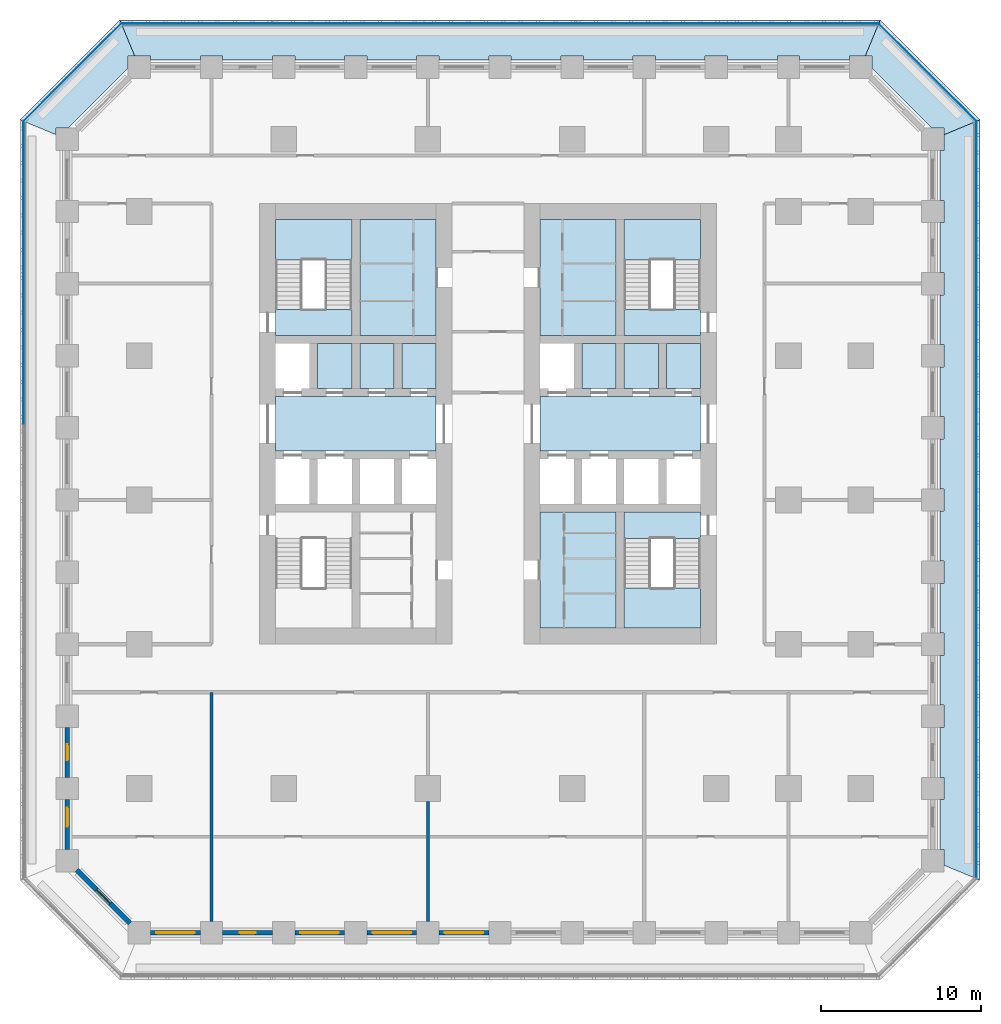
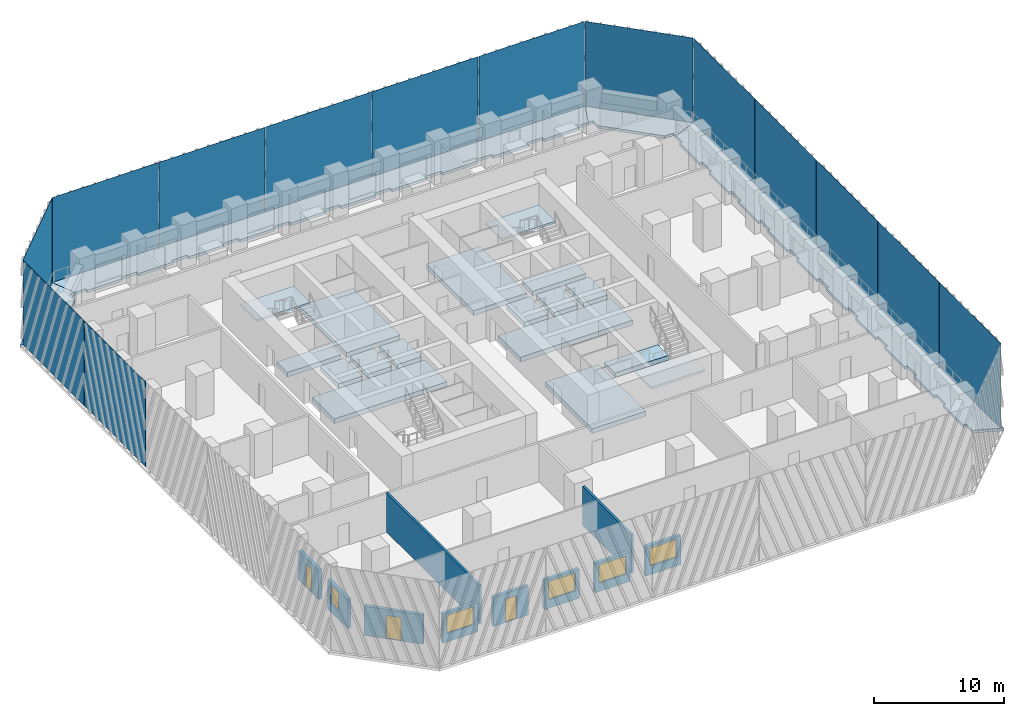
# One storey, part 2 of 14: 21 slabs, 14 plates, 10 walls, 5 windows, 3 doors, 8 openings, 3 elements without a shape of their own.
"""IFC4 building model written with IfcOpenShell, lengths in metres."""

from ifc_helpers import new_model, si_unit, direction, frame, frame_2d, origin, origin_2d, place, context, subcontext, project, spatial, polyline, rectangle, outline, extrude, material, layer, layer_set, type_object, element, fill, aggregate, save


model = new_model("IFC4")

# Units and contexts
model_context = context("Model", 3, precision=1e-05, world=origin(), true_north=direction((0.0, 1.0)))
body_context = subcontext(model_context, "Body", "Model", "MODEL_VIEW")
ifc_project = project(units=[si_unit("LENGTHUNIT", "METRE"), si_unit("AREAUNIT", "SQUARE_METRE"), si_unit("VOLUMEUNIT", "CUBIC_METRE"), si_unit("PLANEANGLEUNIT", "RADIAN"), si_unit("MASSUNIT", "GRAM", prefix="KILO")], contexts=[model_context])

# Site, building, storey
site_placement = place(None, origin())
site = spatial("IfcSite", under=ifc_project, at=site_placement, CompositionType="ELEMENT")
building_placement = place(site_placement, origin())
building = spatial("IfcBuilding", under=site, at=building_placement, Name="Corbel Stack Research Tower", CompositionType="ELEMENT")
storey_placement = place(building_placement, frame((0.0, 0.0, 50.10009765625)))
storey = spatial("IfcBuildingStorey", under=building, at=storey_placement, Name="L11", CompositionType="ELEMENT", Elevation=50.10009765625)

# Plates
ifc_material_1 = material(Name="Fritted glass", Category="glass")
ifc_layer_1 = layer(ifc_material_1, 0.02490234375)
ifc_layer_set_1 = layer_set([ifc_layer_1], Name="Fritted glass")
plate_type = type_object("IfcPlateType", Name="Fritted glass panel 25", PredefinedType="SHEET", material=ifc_layer_set_1)
for number, where, z_axis, x_axis, name in (
    (1, (34.237548828125, -18.911376953125, 0.0), (0.0, 0.0, 1.0), (0.0, 1.0, 0.0), "Fritted glass L11 E1"),
    (2, (34.237548828125, -9.45556640625, 0.0), (0.0, 0.0, 1.0), (0.0, 1.0, 0.0), "Fritted glass L11 E2"),
    (3, (34.237548828125, 0.0, 0.0), (0.0, 0.0, 1.0), (0.0, 1.0, 0.0), "Fritted glass L11 E3"),
    (4, (34.237548828125, 9.45556640625, 0.0), (0.0, 0.0, 1.0), (0.0, 1.0, 0.0), "Fritted glass L11 E4"),
    (5, (34.237548828125, 18.911376953125, 0.0), (0.0, 0.0, 1.0), (0.0, 1.0, 0.0), "Fritted glass L11 E5"),
):
    element("IfcPlate", number, at=place(storey_placement, frame(where, z_axis=z_axis, x_axis=x_axis)), inside=storey, type_object=plate_type, Name=name, PredefinedType="SHEET", context=body_context, shape_type="SweptSolid", body=[
        extrude(rectangle(XDim=9.3955078125, YDim=0.02490234375, at=origin_2d()), origin(), (0.0, 0.0, 1.0), 7.949951171875),
    ])
plate_1_placement = place(storey_placement, frame((31.185791015625, 26.685791015625, 0.0), z_axis=(0.0, 0.0, 1.0), x_axis=(-0.707106781187, 0.707106781187, 0.0)))
element("IfcPlate", 6, at=plate_1_placement, inside=storey, type_object=plate_type, Name="Fritted glass L11 NE1", PredefinedType="SHEET", context=body_context, shape_type="SweptSolid", body=[
    extrude(rectangle(XDim=8.58203125, YDim=0.02490234375, at=origin_2d()), origin(), (0.0, 0.0, 1.0), 7.949951171875),
])
for number, where, z_axis, x_axis, name in (
    (7, (23.411376953125, 29.737548828125, 0.0), (0.0, 0.0, 1.0), (-1.0, 0.0, 0.0), "Fritted glass L11 N1"),
    (8, (13.95556640625, 29.737548828125, 0.0), (0.0, 0.0, 1.0), (-1.0, 0.0, 0.0), "Fritted glass L11 N2"),
    (9, (4.5, 29.737548828125, 0.0), (0.0, 0.0, 1.0), (-1.0, 0.0, 0.0), "Fritted glass L11 N3"),
    (10, (-4.95556640625, 29.737548828125, 0.0), (0.0, 0.0, 1.0), (-1.0, 0.0, 0.0), "Fritted glass L11 N4"),
    (11, (-14.411376953125, 29.737548828125, 0.0), (0.0, 0.0, 1.0), (-1.0, 0.0, 0.0), "Fritted glass L11 N5"),
):
    element("IfcPlate", number, at=place(storey_placement, frame(where, z_axis=z_axis, x_axis=x_axis)), inside=storey, type_object=plate_type, Name=name, PredefinedType="SHEET", context=body_context, shape_type="SweptSolid", body=[
        extrude(rectangle(XDim=9.3955078125, YDim=0.02490234375, at=origin_2d()), origin(), (0.0, 0.0, 1.0), 7.949951171875),
    ])
plate_2_placement = place(storey_placement, frame((-22.185791015625, 26.685791015625, 0.0), z_axis=(0.0, 0.0, 1.0), x_axis=(-0.707106781187, -0.707106781187, 0.0)))
element("IfcPlate", 12, at=plate_2_placement, inside=storey, type_object=plate_type, Name="Fritted glass L11 NW1", PredefinedType="SHEET", context=body_context, shape_type="SweptSolid", body=[
    extrude(rectangle(XDim=8.58203125, YDim=0.02490234375, at=origin_2d()), origin(), (0.0, 0.0, 1.0), 7.949951171875),
])
for number, where, z_axis, x_axis, name in (
    (13, (-25.237548828125, 18.911376953125, 0.0), (0.0, 0.0, 1.0), (0.0, -1.0, 0.0), "Fritted glass L11 W1"),
    (14, (-25.237548828125, 9.45556640625, 0.0), (0.0, 0.0, 1.0), (0.0, -1.0, 0.0), "Fritted glass L11 W2"),
):
    element("IfcPlate", number, at=place(storey_placement, frame(where, z_axis=z_axis, x_axis=x_axis)), inside=storey, type_object=plate_type, Name=name, PredefinedType="SHEET", context=body_context, shape_type="SweptSolid", body=[
        extrude(rectangle(XDim=9.3955078125, YDim=0.02490234375, at=origin_2d()), origin(), (0.0, 0.0, 1.0), 7.949951171875),
    ])

# Slabs
ifc_material_2 = material(Name="Concrete C45/55", Category="concrete")
ifc_layer_2 = layer(ifc_material_2, 0.25)
ifc_layer_set_2 = layer_set([ifc_layer_2], Name="Concrete C45/55")
slab_type_1 = type_object("IfcSlabType", Name="PT balcony slab 250 C45/55", PredefinedType="FLOOR", material=ifc_layer_set_2)
slab_1_placement = place(storey_placement, frame((0.0, 0.0, -0.25)))
element("IfcSlab", 15, at=slab_1_placement, inside=storey, type_object=slab_type_1, Name="Loggia slab L11 E", PredefinedType="FLOOR", context=body_context, shape_type="SweptSolid", body=[
    extrude(outline(polyline([(32.199951171875, 22.789794921875), (32.199951171875, 21.800048828125), (31.949951171875, 21.800048828125), (31.949951171875, 18.699951171875), (32.199951171875, 18.699951171875), (32.199951171875, 17.300048828125), (31.949951171875, 17.300048828125), (31.949951171875, 14.199951171875), (32.199951171875, 14.199951171875), (32.199951171875, 12.800048828125), (31.949951171875, 12.800048828125), (31.949951171875, 9.699951171875), (32.199951171875, 9.699951171875), (32.199951171875, 8.300048828125), (31.949951171875, 8.300048828125), (31.949951171875, 5.199951171875), (32.199951171875, 5.199951171875), (32.199951171875, 3.800048828125), (31.949951171875, 3.800048828125), (31.949951171875, 0.699951171875), (32.199951171875, 0.699951171875), (32.199951171875, -0.699951171875), (31.949951171875, -0.699951171875), (31.949951171875, -3.800048828125), (32.199951171875, -3.800048828125), (32.199951171875, -5.199951171875), (31.949951171875, -5.199951171875), (31.949951171875, -8.300048828125), (32.199951171875, -8.300048828125), (32.199951171875, -9.699951171875), (31.949951171875, -9.699951171875), (31.949951171875, -12.800048828125), (32.199951171875, -12.800048828125), (32.199951171875, -14.199951171875), (31.949951171875, -14.199951171875), (31.949951171875, -17.300048828125), (32.199951171875, -17.300048828125), (32.199951171875, -18.699951171875), (31.949951171875, -18.699951171875), (31.949951171875, -21.800048828125), (32.199951171875, -21.800048828125), (32.199951171875, -22.789794921875), (34.449951171875, -23.721923828125), (34.449951171875, 23.721923828125), (32.199951171875, 22.789794921875)])), origin(), (0.0, 0.0, 1.0), 0.25),
])
slab_2_placement = place(storey_placement, frame((0.0, 0.0, -0.25)))
element("IfcSlab", 16, at=slab_2_placement, inside=storey, type_object=slab_type_1, Name="Loggia slab L11 NE", PredefinedType="FLOOR", context=body_context, shape_type="SweptSolid", body=[
    extrude(outline(polyline([(27.289794921875, 27.699951171875), (27.699951171875, 27.699951171875), (27.699951171875, 26.936279296875), (31.436279296875, 23.199951171875), (32.199951171875, 23.199951171875), (32.199951171875, 22.789794921875), (34.449951171875, 23.721923828125), (28.221923828125, 29.949951171875), (27.289794921875, 27.699951171875)])), origin(), (0.0, 0.0, 1.0), 0.25),
])
slab_3_placement = place(storey_placement, frame((0.0, 0.0, -0.25)))
element("IfcSlab", 17, at=slab_3_placement, inside=storey, type_object=slab_type_1, Name="Loggia slab L11 N", PredefinedType="FLOOR", context=body_context, shape_type="SweptSolid", body=[
    extrude(outline(polyline([(-18.289794921875, 27.699951171875), (-17.300048828125, 27.699951171875), (-17.300048828125, 27.449951171875), (-14.199951171875, 27.449951171875), (-14.199951171875, 27.699951171875), (-12.800048828125, 27.699951171875), (-12.800048828125, 27.449951171875), (-9.699951171875, 27.449951171875), (-9.699951171875, 27.699951171875), (-8.300048828125, 27.699951171875), (-8.300048828125, 27.449951171875), (-5.199951171875, 27.449951171875), (-5.199951171875, 27.699951171875), (-3.800048828125, 27.699951171875), (-3.800048828125, 27.449951171875), (-0.699951171875, 27.449951171875), (-0.699951171875, 27.699951171875), (0.699951171875, 27.699951171875), (0.699951171875, 27.449951171875), (3.800048828125, 27.449951171875), (3.800048828125, 27.699951171875), (5.199951171875, 27.699951171875), (5.199951171875, 27.449951171875), (8.300048828125, 27.449951171875), (8.300048828125, 27.699951171875), (9.699951171875, 27.699951171875), (9.699951171875, 27.449951171875), (12.800048828125, 27.449951171875), (12.800048828125, 27.699951171875), (14.199951171875, 27.699951171875), (14.199951171875, 27.449951171875), (17.300048828125, 27.449951171875), (17.300048828125, 27.699951171875), (18.699951171875, 27.699951171875), (18.699951171875, 27.449951171875), (21.800048828125, 27.449951171875), (21.800048828125, 27.699951171875), (23.199951171875, 27.699951171875), (23.199951171875, 27.449951171875), (26.300048828125, 27.449951171875), (26.300048828125, 27.699951171875), (27.289794921875, 27.699951171875), (28.221923828125, 29.949951171875), (-19.221923828125, 29.949951171875), (-18.289794921875, 27.699951171875)])), origin(), (0.0, 0.0, 1.0), 0.25),
])
slab_4_placement = place(storey_placement, frame((0.0, 0.0, -0.25)))
element("IfcSlab", 18, at=slab_4_placement, inside=storey, type_object=slab_type_1, Name="Loggia slab L11 NW", PredefinedType="FLOOR", context=body_context, shape_type="SweptSolid", body=[
    extrude(outline(polyline([(-23.199951171875, 22.789794921875), (-23.199951171875, 23.199951171875), (-22.436279296875, 23.199951171875), (-18.699951171875, 26.936279296875), (-18.699951171875, 27.699951171875), (-18.289794921875, 27.699951171875), (-19.221923828125, 29.949951171875), (-25.449951171875, 23.721923828125), (-23.199951171875, 22.789794921875)])), origin(), (0.0, 0.0, 1.0), 0.25),
])
ifc_material_3 = material(Name="Concrete C45/55", Category="concrete")
ifc_layer_3 = layer(ifc_material_3, 0.449951171875)
ifc_layer_set_3 = layer_set([ifc_layer_3], Name="Concrete C45/55")
slab_type_2 = type_object("IfcSlabType", Name="PT-450", PredefinedType="FLOOR", material=ifc_layer_set_3)
slab_5_placement = place(storey_placement, frame((0.0, 0.0, -0.4501953125)))
element("IfcSlab", 19, at=slab_5_placement, inside=storey, type_object=slab_type_2, Name="West core floor L11", PredefinedType="FLOOR", context=body_context, shape_type="SweptSolid", body=[
    extrude(outline(polyline([(-9.5, 6.449951171875), (-9.5, 3.050048828125), (0.5, 3.050048828125), (0.5, 6.449951171875), (-9.5, 6.449951171875)])), origin(), (0.0, 0.0, 1.0), 0.4501953125),
])
slab_6_placement = place(storey_placement, frame((0.0, 0.0, -0.4501953125)))
element("IfcSlab", 20, at=slab_6_placement, inside=storey, type_object=slab_type_2, Name="West core floor L11", PredefinedType="FLOOR", context=body_context, shape_type="SweptSolid", body=[
    extrude(outline(polyline([(-6.875, 6.949951171875), (-4.75, 6.949951171875), (-4.75, 9.75), (-6.875, 9.75), (-6.875, 6.949951171875)])), origin(), (0.0, 0.0, 1.0), 0.4501953125),
])
slab_7_placement = place(storey_placement, frame((0.0, 0.0, -0.4501953125)))
element("IfcSlab", 21, at=slab_7_placement, inside=storey, type_object=slab_type_2, Name="West core floor L11", PredefinedType="FLOOR", context=body_context, shape_type="SweptSolid", body=[
    extrude(outline(polyline([(-2.125, 6.949951171875), (-2.125, 9.75), (-4.25, 9.75), (-4.25, 6.949951171875), (-2.125, 6.949951171875)])), origin(), (0.0, 0.0, 1.0), 0.4501953125),
])
slab_8_placement = place(storey_placement, frame((0.0, 0.0, -0.4501953125)))
element("IfcSlab", 22, at=slab_8_placement, inside=storey, type_object=slab_type_2, Name="West core floor L11", PredefinedType="FLOOR", context=body_context, shape_type="SweptSolid", body=[
    extrude(outline(polyline([(-4.25, 17.5), (-4.25, 10.25), (0.5, 10.25), (0.5, 17.5), (-4.25, 17.5)])), origin(), (0.0, 0.0, 1.0), 0.4501953125),
])
slab_9_placement = place(storey_placement, frame((0.0, 0.0, -0.4501953125)))
element("IfcSlab", 23, at=slab_9_placement, inside=storey, type_object=slab_type_2, Name="West core floor L11", PredefinedType="FLOOR", context=body_context, shape_type="SweptSolid", body=[
    extrude(outline(polyline([(0.5, 6.949951171875), (0.5, 9.75), (-1.625, 9.75), (-1.625, 6.949951171875), (0.5, 6.949951171875)])), origin(), (0.0, 0.0, 1.0), 0.4501953125),
])
slab_10_placement = place(storey_placement, frame((0.0, 0.0, -0.4501953125)))
element("IfcSlab", 24, at=slab_10_placement, inside=storey, type_object=slab_type_2, Name="East core floor L11", PredefinedType="FLOOR", context=body_context, shape_type="SweptSolid", body=[
    extrude(outline(polyline([(7.0, -0.75), (7.0, -8.0), (11.75, -8.0), (11.75, -0.75), (7.0, -0.75)])), origin(), (0.0, 0.0, 1.0), 0.4501953125),
])
slab_11_placement = place(storey_placement, frame((0.0, 0.0, -0.4501953125)))
element("IfcSlab", 25, at=slab_11_placement, inside=storey, type_object=slab_type_2, Name="East core floor L11", PredefinedType="FLOOR", context=body_context, shape_type="SweptSolid", body=[
    extrude(outline(polyline([(7.0, 6.449951171875), (7.0, 3.050048828125), (17.0, 3.050048828125), (17.0, 6.449951171875), (7.0, 6.449951171875)])), origin(), (0.0, 0.0, 1.0), 0.4501953125),
])
slab_12_placement = place(storey_placement, frame((0.0, 0.0, -0.4501953125)))
element("IfcSlab", 26, at=slab_12_placement, inside=storey, type_object=slab_type_2, Name="East core floor L11", PredefinedType="FLOOR", context=body_context, shape_type="SweptSolid", body=[
    extrude(outline(polyline([(7.0, 17.5), (7.0, 10.25), (11.75, 10.25), (11.75, 17.5), (7.0, 17.5)])), origin(), (0.0, 0.0, 1.0), 0.4501953125),
])
slab_13_placement = place(storey_placement, frame((0.0, 0.0, -0.4501953125)))
element("IfcSlab", 27, at=slab_13_placement, inside=storey, type_object=slab_type_2, Name="East core floor L11", PredefinedType="FLOOR", context=body_context, shape_type="SweptSolid", body=[
    extrude(outline(polyline([(9.625, 6.949951171875), (11.75, 6.949951171875), (11.75, 9.75), (9.625, 9.75), (9.625, 6.949951171875)])), origin(), (0.0, 0.0, 1.0), 0.4501953125),
])
slab_14_placement = place(storey_placement, frame((0.0, 0.0, -0.4501953125)))
element("IfcSlab", 28, at=slab_14_placement, inside=storey, type_object=slab_type_2, Name="East core floor L11", PredefinedType="FLOOR", context=body_context, shape_type="SweptSolid", body=[
    extrude(outline(polyline([(14.375, 6.949951171875), (14.375, 9.75), (12.25, 9.75), (12.25, 6.949951171875), (14.375, 6.949951171875)])), origin(), (0.0, 0.0, 1.0), 0.4501953125),
])
slab_15_placement = place(storey_placement, frame((0.0, 0.0, -0.4501953125)))
element("IfcSlab", 29, at=slab_15_placement, inside=storey, type_object=slab_type_2, Name="East core floor L11", PredefinedType="FLOOR", context=body_context, shape_type="SweptSolid", body=[
    extrude(outline(polyline([(17.0, 6.949951171875), (17.0, 9.75), (14.875, 9.75), (14.875, 6.949951171875), (17.0, 6.949951171875)])), origin(), (0.0, 0.0, 1.0), 0.4501953125),
])
slab_16_placement = place(storey_placement, frame((0.0, 0.0, -0.4501953125)))
element("IfcSlab", 30, at=slab_16_placement, inside=storey, type_object=slab_type_2, Name="Stair floor landing ST-W2", PredefinedType="FLOOR", context=body_context, shape_type="SweptSolid", body=[
    extrude(outline(polyline([(-9.5, 10.25), (-4.75, 10.25), (-4.75, 11.89990234375), (-9.5, 11.89990234375), (-9.5, 10.25)])), origin(), (0.0, 0.0, 1.0), 0.4501953125),
])
slab_17_placement = place(storey_placement, frame((0.0, 0.0, -0.4501953125)))
element("IfcSlab", 31, at=slab_17_placement, inside=storey, type_object=slab_type_2, Name="Stair floor landing ST-E1", PredefinedType="FLOOR", context=body_context, shape_type="SweptSolid", body=[
    extrude(outline(polyline([(12.25, -2.39990234375), (17.0, -2.39990234375), (17.0, -0.75), (12.25, -0.75), (12.25, -2.39990234375)])), origin(), (0.0, 0.0, 1.0), 0.4501953125),
])
slab_18_placement = place(storey_placement, frame((0.0, 0.0, -0.4501953125)))
element("IfcSlab", 32, at=slab_18_placement, inside=storey, type_object=slab_type_2, Name="Stair floor landing ST-E2", PredefinedType="FLOOR", context=body_context, shape_type="SweptSolid", body=[
    extrude(outline(polyline([(12.25, 10.25), (17.0, 10.25), (17.0, 11.89990234375), (12.25, 11.89990234375), (12.25, 10.25)])), origin(), (0.0, 0.0, 1.0), 0.4501953125),
])

# Stair, slab
ifc_material_4 = material(Name="Concrete C40/50", Category="concrete")
stair_type = type_object("IfcStairType", Name="Exit stair 24 risers", PredefinedType="HALF_TURN_STAIR", material=ifc_material_4)
stair_1_placement = place(storey_placement, origin())
stair_1 = element("IfcStair", 33, at=stair_1_placement, inside=storey, type_object=stair_type, Name="L11 Exit stair ST-W2", PredefinedType="HALF_TURN_STAIR")
ifc_material_5 = material(Name="Concrete C40/50", Category="concrete")
ifc_layer_4 = layer(ifc_material_5, 0.199951171875)
ifc_layer_set_4 = layer_set([ifc_layer_4], Name="Concrete C40/50")
slab_type_3 = type_object("IfcSlabType", Name="Stair landing 200 C40/50", PredefinedType="LANDING", material=ifc_layer_set_4)
slab_19_placement = place(storey_placement, frame((0.0, 0.0, 1.849853515625)))
slab_19 = element("IfcSlab", 34, at=slab_19_placement, type_object=slab_type_3, Name="ST-W2 landing 1", PredefinedType="LANDING", context=body_context, shape_type="SweptSolid", body=[
    extrude(outline(polyline([(-9.5, 14.97998046875), (-9.5, 17.5), (-4.75, 17.5), (-4.75, 14.97998046875), (-9.5, 14.97998046875)])), origin(), (0.0, 0.0, 1.0), 0.199951171875),
])
aggregate(stair_1, [slab_19])

stair_2_placement = place(storey_placement, origin())
stair_2 = element("IfcStair", 35, at=stair_2_placement, inside=storey, type_object=stair_type, Name="L11 Exit stair ST-E1", PredefinedType="HALF_TURN_STAIR")
slab_20_placement = place(storey_placement, frame((0.0, 0.0, 1.849853515625)))
slab_20 = element("IfcSlab", 36, at=slab_20_placement, type_object=slab_type_3, Name="ST-E1 landing 1", PredefinedType="LANDING", context=body_context, shape_type="SweptSolid", body=[
    extrude(outline(polyline([(12.25, -8.0), (12.25, -5.47998046875), (17.0, -5.47998046875), (17.0, -8.0), (12.25, -8.0)])), origin(), (0.0, 0.0, 1.0), 0.199951171875),
])
aggregate(stair_2, [slab_20])

stair_3_placement = place(storey_placement, origin())
stair_3 = element("IfcStair", 37, at=stair_3_placement, inside=storey, type_object=stair_type, Name="L11 Exit stair ST-E2", PredefinedType="HALF_TURN_STAIR")
slab_21_placement = place(storey_placement, frame((0.0, 0.0, 1.849853515625)))
slab_21 = element("IfcSlab", 38, at=slab_21_placement, type_object=slab_type_3, Name="ST-E2 landing 1", PredefinedType="LANDING", context=body_context, shape_type="SweptSolid", body=[
    extrude(outline(polyline([(12.25, 14.97998046875), (12.25, 17.5), (17.0, 17.5), (17.0, 14.97998046875), (12.25, 14.97998046875)])), origin(), (0.0, 0.0, 1.0), 0.199951171875),
])
aggregate(stair_3, [slab_21])

# Walls
ifc_material_6 = material(Name="Fire-rated gypsum board partition on steel studs", Category="steel")
ifc_layer_5 = layer(ifc_material_6, 0.199951171875)
ifc_layer_set_5 = layer_set([ifc_layer_5], Name="Fire-rated gypsum board partition on steel studs")
wall_type_1 = type_object("IfcWallType", Name="Fire-rated partition 200 EI 60", PredefinedType="PARTITIONING", material=ifc_layer_set_5)
wall_1_placement = place(storey_placement, frame((-13.5, -26.300048828125, 0.0), z_axis=(0.0, 0.0, 1.0), x_axis=(0.0, 1.0, 0.0)))
element("IfcWall", 39, at=wall_1_placement, inside=storey, type_object=wall_type_1, Name="Partition L11-001", PredefinedType="PARTITIONING", context=body_context, shape_type="SweptSolid", body=[
    extrude(rectangle(XDim=14.300048828125, YDim=0.199951171875, at=frame_2d((7.14990234375, 0.0))), origin(), (0.0, 0.0, 1.0), 3.64990234375),
])
wall_2_placement = place(storey_placement, frame((0.0, -26.300048828125, 0.0), z_axis=(0.0, 0.0, 1.0), x_axis=(0.0, 1.0, 0.0)))
element("IfcWall", 40, at=wall_2_placement, inside=storey, type_object=wall_type_1, Name="Partition L11-004", PredefinedType="PARTITIONING", context=body_context, shape_type="SweptSolid", body=[
    extrude(rectangle(XDim=7.5, YDim=0.199951171875, at=frame_2d((3.75, 0.0))), origin(), (0.0, 0.0, 1.0), 3.64990234375),
])

# Wall, opening, window
ifc_material_7 = material(Name="Concrete C45/55", Category="concrete")
ifc_layer_6 = layer(ifc_material_7, 0.300048828125)
ifc_layer_set_6 = layer_set([ifc_layer_6], Name="Concrete C45/55")
wall_type_2 = type_object("IfcWallType", Name="Terracotta-faced concrete wall 300", PredefinedType="SOLIDWALL", material=ifc_layer_set_6)
wall_3_placement = place(storey_placement, frame((-14.199951171875, -27.0, 0.0), z_axis=(0.0, 0.0, 1.0), x_axis=(-1.0, 0.0, 0.0)))
wall_3 = element("IfcWall", 41, at=wall_3_placement, inside=storey, type_object=wall_type_2, Name="Facade wall L11 S01", PredefinedType="SOLIDWALL", context=body_context, shape_type="SweptSolid", body=[
    extrude(rectangle(XDim=3.10009765625, YDim=0.300048828125, at=frame_2d((1.550048828125, 0.0))), origin(), (0.0, 0.0, 1.0), 2.75),
])
opening_1_placement = place(wall_3_placement, frame((0.35009765625, 0.0, 0.800048828125)))
opening_1 = element("IfcOpeningElement", 42, at=opening_1_placement, cuts=wall_3, Name="Opening W1", PredefinedType="OPENING", context=body_context, shape_type="SweptSolid", body=[
    extrude(rectangle(XDim=2.39990234375, YDim=1.699951171875, at=frame_2d((1.199951171875, 0.85009765625))), frame((0.0, 0.159912109375, 0.0), z_axis=(0.0, -1.0, 0.0), x_axis=(1.0, 0.0, 0.0)), (0.0, 0.0, 1.0), 0.320068359375),
])
ifc_material_8 = material(Name="Aluminium frame, clear double glazing", Category="aluminium")
window_type_1 = type_object("IfcWindowType", Name="Window W1 2400 x 1700", PartitioningType="SINGLE_PANEL", PredefinedType="WINDOW", material=ifc_material_8)
window_1_placement = place(opening_1_placement, origin())
window_1 = element("IfcWindow", 43, at=window_1_placement, inside=storey, type_object=window_type_1, Name="Window W1 L11 S01", OverallHeight=1.699951171875, OverallWidth=2.39990234375, PartitioningType="SINGLE_PANEL", PredefinedType="WINDOW", context=body_context, shape_type="SweptSolid", body=[
    extrude(rectangle(XDim=2.39990234375, YDim=1.699951171875, at=frame_2d((1.199951171875, 0.85009765625))), frame((0.0, 0.030029296875, 0.0), z_axis=(0.0, -1.0, 0.0), x_axis=(1.0, 0.0, 0.0)), (0.0, 0.0, 1.0), 0.06005859375),
])
fill(opening_1, window_1)

# Wall, opening, door
wall_4_placement = place(storey_placement, frame((-9.699951171875, -27.0, 0.0), z_axis=(0.0, 0.0, 1.0), x_axis=(-1.0, 0.0, 0.0)))
wall_4 = element("IfcWall", 44, at=wall_4_placement, inside=storey, type_object=wall_type_2, Name="Facade wall L11 S02", PredefinedType="SOLIDWALL", context=body_context, shape_type="SweptSolid", body=[
    extrude(rectangle(XDim=3.10009765625, YDim=0.300048828125, at=frame_2d((1.550048828125, 0.0))), origin(), (0.0, 0.0, 1.0), 2.75),
])
opening_2_placement = place(wall_4_placement, frame((1.050048828125, 0.0, 0.0)))
opening_2 = element("IfcOpeningElement", 45, at=opening_2_placement, cuts=wall_4, Name="Opening L11-B01", PredefinedType="OPENING", context=body_context, shape_type="SweptSolid", body=[
    extrude(rectangle(XDim=1.0, YDim=2.199951171875, at=frame_2d((0.5, 1.10009765625))), frame((0.0, 0.159912109375, 0.0), z_axis=(0.0, -1.0, 0.0), x_axis=(1.0, 0.0, 0.0)), (0.0, 0.0, 1.0), 0.320068359375),
])
ifc_material_9 = material(Name="Aluminium frame, clear double glazing", Category="aluminium")
door_type_1 = type_object("IfcDoorType", Name="Balcony door BD1 1000 x 2200", OperationType="NOTDEFINED", PredefinedType="DOOR", material=ifc_material_9)
door_1_placement = place(opening_2_placement, origin())
door_1 = element("IfcDoor", 46, at=door_1_placement, inside=storey, type_object=door_type_1, Name="Balcony door L11-B01", OperationType="SINGLE_SWING_LEFT", OverallHeight=2.199951171875, OverallWidth=1.0, PredefinedType="DOOR", context=body_context, shape_type="SweptSolid", body=[
    extrude(rectangle(XDim=1.0, YDim=2.199951171875, at=frame_2d((0.5, 1.10009765625))), frame((0.0, 0.02490234375, 0.0), z_axis=(0.0, -1.0, 0.0), x_axis=(1.0, 0.0, 0.0)), (0.0, 0.0, 1.0), 0.050048828125),
])
fill(opening_2, door_1)

# Wall, opening, window
wall_5_placement = place(storey_placement, frame((-5.199951171875, -27.0, 0.0), z_axis=(0.0, 0.0, 1.0), x_axis=(-1.0, 0.0, 0.0)))
wall_5 = element("IfcWall", 47, at=wall_5_placement, inside=storey, type_object=wall_type_2, Name="Facade wall L11 S03", PredefinedType="SOLIDWALL", context=body_context, shape_type="SweptSolid", body=[
    extrude(rectangle(XDim=3.10009765625, YDim=0.300048828125, at=frame_2d((1.550048828125, 0.0))), origin(), (0.0, 0.0, 1.0), 2.75),
])
opening_3_placement = place(wall_5_placement, frame((0.35009765625, 0.0, 0.800048828125)))
opening_3 = element("IfcOpeningElement", 48, at=opening_3_placement, cuts=wall_5, Name="Opening W1", PredefinedType="OPENING", context=body_context, shape_type="SweptSolid", body=[
    extrude(rectangle(XDim=2.39990234375, YDim=1.699951171875, at=frame_2d((1.199951171875, 0.85009765625))), frame((0.0, 0.159912109375, 0.0), z_axis=(0.0, -1.0, 0.0), x_axis=(1.0, 0.0, 0.0)), (0.0, 0.0, 1.0), 0.320068359375),
])
window_2_placement = place(opening_3_placement, origin())
window_2 = element("IfcWindow", 49, at=window_2_placement, inside=storey, type_object=window_type_1, Name="Window W1 L11 S03", OverallHeight=1.699951171875, OverallWidth=2.39990234375, PartitioningType="SINGLE_PANEL", PredefinedType="WINDOW", context=body_context, shape_type="SweptSolid", body=[
    extrude(rectangle(XDim=2.39990234375, YDim=1.699951171875, at=frame_2d((1.199951171875, 0.85009765625))), frame((0.0, 0.030029296875, 0.0), z_axis=(0.0, -1.0, 0.0), x_axis=(1.0, 0.0, 0.0)), (0.0, 0.0, 1.0), 0.06005859375),
])
fill(opening_3, window_2)

wall_6_placement = place(storey_placement, frame((-0.699951171875, -27.0, 0.0), z_axis=(0.0, 0.0, 1.0), x_axis=(-1.0, 0.0, 0.0)))
wall_6 = element("IfcWall", 50, at=wall_6_placement, inside=storey, type_object=wall_type_2, Name="Facade wall L11 S04", PredefinedType="SOLIDWALL", context=body_context, shape_type="SweptSolid", body=[
    extrude(rectangle(XDim=3.10009765625, YDim=0.300048828125, at=frame_2d((1.550048828125, 0.0))), origin(), (0.0, 0.0, 1.0), 2.75),
])
opening_4_placement = place(wall_6_placement, frame((0.35009765625, 0.0, 0.800048828125)))
opening_4 = element("IfcOpeningElement", 51, at=opening_4_placement, cuts=wall_6, Name="Opening W1", PredefinedType="OPENING", context=body_context, shape_type="SweptSolid", body=[
    extrude(rectangle(XDim=2.39990234375, YDim=1.699951171875, at=frame_2d((1.199951171875, 0.85009765625))), frame((0.0, 0.159912109375, 0.0), z_axis=(0.0, -1.0, 0.0), x_axis=(1.0, 0.0, 0.0)), (0.0, 0.0, 1.0), 0.320068359375),
])
window_3_placement = place(opening_4_placement, origin())
window_3 = element("IfcWindow", 52, at=window_3_placement, inside=storey, type_object=window_type_1, Name="Window W1 L11 S04", OverallHeight=1.699951171875, OverallWidth=2.39990234375, PartitioningType="SINGLE_PANEL", PredefinedType="WINDOW", context=body_context, shape_type="SweptSolid", body=[
    extrude(rectangle(XDim=2.39990234375, YDim=1.699951171875, at=frame_2d((1.199951171875, 0.85009765625))), frame((0.0, 0.030029296875, 0.0), z_axis=(0.0, -1.0, 0.0), x_axis=(1.0, 0.0, 0.0)), (0.0, 0.0, 1.0), 0.06005859375),
])
fill(opening_4, window_3)

wall_7_placement = place(storey_placement, frame((3.800048828125, -27.0, 0.0), z_axis=(0.0, 0.0, 1.0), x_axis=(-1.0, 0.0, 0.0)))
wall_7 = element("IfcWall", 53, at=wall_7_placement, inside=storey, type_object=wall_type_2, Name="Facade wall L11 S05", PredefinedType="SOLIDWALL", context=body_context, shape_type="SweptSolid", body=[
    extrude(rectangle(XDim=3.10009765625, YDim=0.300048828125, at=frame_2d((1.550048828125, 0.0))), origin(), (0.0, 0.0, 1.0), 2.75),
])
opening_5_placement = place(wall_7_placement, frame((0.35009765625, 0.0, 0.800048828125)))
opening_5 = element("IfcOpeningElement", 54, at=opening_5_placement, cuts=wall_7, Name="Opening W1", PredefinedType="OPENING", context=body_context, shape_type="SweptSolid", body=[
    extrude(rectangle(XDim=2.39990234375, YDim=1.699951171875, at=frame_2d((1.199951171875, 0.85009765625))), frame((0.0, 0.159912109375, 0.0), z_axis=(0.0, -1.0, 0.0), x_axis=(1.0, 0.0, 0.0)), (0.0, 0.0, 1.0), 0.320068359375),
])
window_4_placement = place(opening_5_placement, origin())
window_4 = element("IfcWindow", 55, at=window_4_placement, inside=storey, type_object=window_type_1, Name="Window W1 L11 S05", OverallHeight=1.699951171875, OverallWidth=2.39990234375, PartitioningType="SINGLE_PANEL", PredefinedType="WINDOW", context=body_context, shape_type="SweptSolid", body=[
    extrude(rectangle(XDim=2.39990234375, YDim=1.699951171875, at=frame_2d((1.199951171875, 0.85009765625))), frame((0.0, 0.030029296875, 0.0), z_axis=(0.0, -1.0, 0.0), x_axis=(1.0, 0.0, 0.0)), (0.0, 0.0, 1.0), 0.06005859375),
])
fill(opening_5, window_4)

# Wall, opening, door
wall_8_placement = place(storey_placement, frame((-22.5, -17.300048828125, 0.0), z_axis=(0.0, 0.0, 1.0), x_axis=(0.0, 1.0, 0.0)))
wall_8 = element("IfcWall", 56, at=wall_8_placement, inside=storey, type_object=wall_type_2, Name="Facade wall L11 W09", PredefinedType="SOLIDWALL", context=body_context, shape_type="SweptSolid", body=[
    extrude(rectangle(XDim=3.10009765625, YDim=0.300048828125, at=frame_2d((1.550048828125, 0.0))), origin(), (0.0, 0.0, 1.0), 2.75),
])
opening_6_placement = place(wall_8_placement, frame((1.050048828125, 0.0, 0.0)))
opening_6 = element("IfcOpeningElement", 57, at=opening_6_placement, cuts=wall_8, Name="Opening L11-B11", PredefinedType="OPENING", context=body_context, shape_type="SweptSolid", body=[
    extrude(rectangle(XDim=1.0, YDim=2.199951171875, at=frame_2d((0.5, 1.10009765625))), frame((0.0, 0.159912109375, 0.0), z_axis=(0.0, -1.0, 0.0), x_axis=(1.0, 0.0, 0.0)), (0.0, 0.0, 1.0), 0.320068359375),
])
door_2_placement = place(opening_6_placement, origin())
door_2 = element("IfcDoor", 58, at=door_2_placement, inside=storey, type_object=door_type_1, Name="Balcony door L11-B11", OperationType="SINGLE_SWING_RIGHT", OverallHeight=2.199951171875, OverallWidth=1.0, PredefinedType="DOOR", context=body_context, shape_type="SweptSolid", body=[
    extrude(rectangle(XDim=1.0, YDim=2.199951171875, at=frame_2d((0.5, 1.10009765625))), frame((0.0, 0.02490234375, 0.0), z_axis=(0.0, -1.0, 0.0), x_axis=(1.0, 0.0, 0.0)), (0.0, 0.0, 1.0), 0.050048828125),
])
fill(opening_6, door_2)

# Wall, opening, window
wall_9_placement = place(storey_placement, frame((-22.5, -21.800048828125, 0.0), z_axis=(0.0, 0.0, 1.0), x_axis=(0.0, 1.0, 0.0)))
wall_9 = element("IfcWall", 59, at=wall_9_placement, inside=storey, type_object=wall_type_2, Name="Facade wall L11 W10", PredefinedType="SOLIDWALL", context=body_context, shape_type="SweptSolid", body=[
    extrude(rectangle(XDim=3.10009765625, YDim=0.300048828125, at=frame_2d((1.550048828125, 0.0))), origin(), (0.0, 0.0, 1.0), 2.75),
])
opening_7_placement = place(wall_9_placement, frame((1.41259765625, 0.0, 0.800048828125)))
opening_7 = element("IfcOpeningElement", 60, at=opening_7_placement, cuts=wall_9, Name="Opening W2", PredefinedType="OPENING", context=body_context, shape_type="SweptSolid", body=[
    extrude(rectangle(XDim=1.199951171875, YDim=1.699951171875, at=frame_2d((0.60009765625, 0.85009765625))), frame((0.0, 0.159912109375, 0.0), z_axis=(0.0, -1.0, 0.0), x_axis=(1.0, 0.0, 0.0)), (0.0, 0.0, 1.0), 0.320068359375),
])
ifc_material_10 = material(Name="Aluminium frame, clear double glazing", Category="aluminium")
window_type_2 = type_object("IfcWindowType", Name="Window W2 1200 x 1700", PartitioningType="SINGLE_PANEL", PredefinedType="WINDOW", material=ifc_material_10)
window_5_placement = place(opening_7_placement, origin())
window_5 = element("IfcWindow", 61, at=window_5_placement, inside=storey, type_object=window_type_2, Name="Window W2 L11 W10", OverallHeight=1.699951171875, OverallWidth=1.199951171875, PartitioningType="SINGLE_PANEL", PredefinedType="WINDOW", context=body_context, shape_type="SweptSolid", body=[
    extrude(rectangle(XDim=1.199951171875, YDim=1.699951171875, at=frame_2d((0.60009765625, 0.85009765625))), frame((0.0, 0.030029296875, 0.0), z_axis=(0.0, -1.0, 0.0), x_axis=(1.0, 0.0, 0.0)), (0.0, 0.0, 1.0), 0.06005859375),
])
fill(opening_7, window_5)

# Wall, opening, door
wall_10_placement = place(storey_placement, frame((-18.593994140625, -26.406005859375, 0.0), z_axis=(0.0, 0.0, 1.0), x_axis=(-0.707106781187, 0.707106781187, 0.0)))
wall_10 = element("IfcWall", 62, at=wall_10_placement, inside=storey, type_object=wall_type_2, Name="Facade wall L11 SW01", PredefinedType="SOLIDWALL", context=body_context, shape_type="SweptSolid", body=[
    extrude(rectangle(XDim=4.683837890625, YDim=0.300048828125, at=frame_2d((2.341796875, 0.0))), origin(), (0.0, 0.0, 1.0), 2.75),
])
opening_8_placement = place(wall_10_placement, frame((1.741943359375, 0.0, 0.0)))
opening_8 = element("IfcOpeningElement", 63, at=opening_8_placement, cuts=wall_10, Name="Opening L11-B12", PredefinedType="OPENING", context=body_context, shape_type="SweptSolid", body=[
    extrude(rectangle(XDim=1.199951171875, YDim=2.199951171875, at=frame_2d((0.60009765625, 1.10009765625))), frame((0.0, 0.159912109375, 0.0), z_axis=(0.0, -1.0, 0.0), x_axis=(1.0, 0.0, 0.0)), (0.0, 0.0, 1.0), 0.320068359375),
])
ifc_material_11 = material(Name="Aluminium frame, clear double glazing", Category="aluminium")
door_type_2 = type_object("IfcDoorType", Name="Balcony door BD2 1200 x 2200", OperationType="NOTDEFINED", PredefinedType="DOOR", material=ifc_material_11)
door_3_placement = place(opening_8_placement, origin())
door_3 = element("IfcDoor", 64, at=door_3_placement, inside=storey, type_object=door_type_2, Name="Balcony door L11-B12", OperationType="SINGLE_SWING_RIGHT", OverallHeight=2.199951171875, OverallWidth=1.199951171875, PredefinedType="DOOR", context=body_context, shape_type="SweptSolid", body=[
    extrude(rectangle(XDim=1.199951171875, YDim=2.199951171875, at=frame_2d((0.60009765625, 1.10009765625))), frame((0.0, 0.02490234375, 0.0), z_axis=(0.0, -1.0, 0.0), x_axis=(1.0, 0.0, 0.0)), (0.0, 0.0, 1.0), 0.050048828125),
])
fill(opening_8, door_3)

save(model, "model.ifc")
